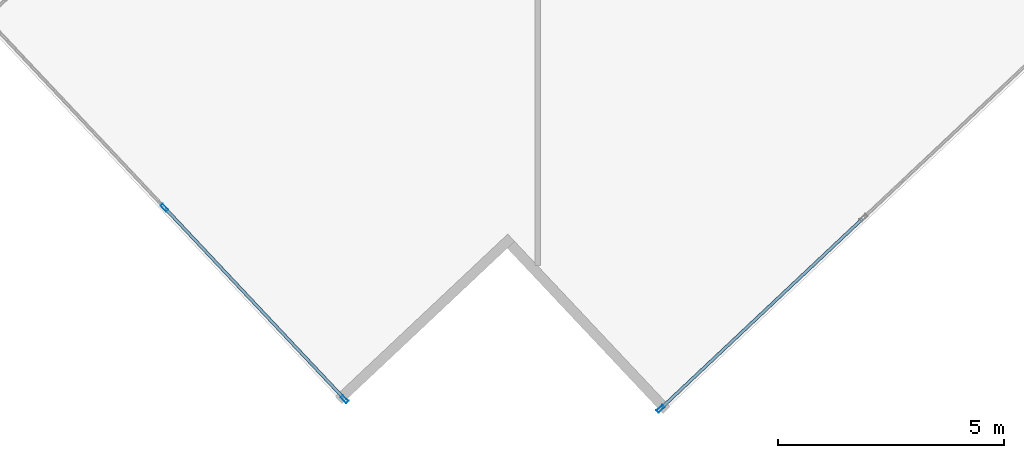
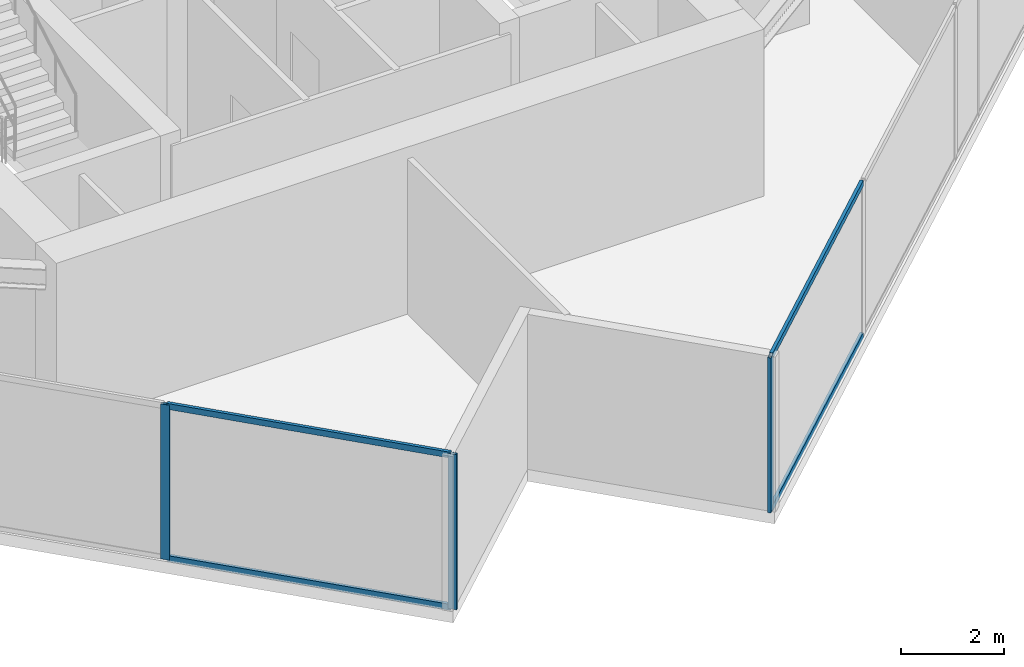
# One storey, part 3 of 24: 7 members, 2 elements without a shape of their own.
"""IFC4 building model written with IfcOpenShell, lengths in metres."""

from ifc_helpers import new_model, si_unit, direction, frame, origin, origin_2d, place, context, subcontext, project, spatial, hollow_rectangle, extrude, source, transform, mapped, material, material_profile, profile_set, type_object, type_shapes, element, aggregate, save


model = new_model("IFC4")

# Units and contexts
model_context = context("Model", 3, precision=1e-05, world=origin(), true_north=direction((0.0, 1.0)))
body_context = subcontext(model_context, "Body", "Model", "MODEL_VIEW")
ifc_project = project(units=[si_unit("LENGTHUNIT", "METRE"), si_unit("AREAUNIT", "SQUARE_METRE"), si_unit("VOLUMEUNIT", "CUBIC_METRE"), si_unit("PLANEANGLEUNIT", "RADIAN"), si_unit("MASSUNIT", "GRAM", prefix="KILO")], contexts=[model_context])

# Site, building, storey
site_placement = place(None, origin())
site = spatial("IfcSite", under=ifc_project, at=site_placement, CompositionType="ELEMENT")
building_placement = place(site_placement, origin())
building = spatial("IfcBuilding", under=site, at=building_placement, Name="Krantzveldt Concourse Tower", CompositionType="ELEMENT")
storey_placement = place(building_placement, frame((0.0, 0.0, 242.85009765625)))
storey = spatial("IfcBuildingStorey", under=building, at=storey_placement, Name="L59", CompositionType="ELEMENT", Elevation=242.85009765625)

# Curtain wall, members
ifc_material = material(Name="Anodised aluminium 6063-T6", Category="aluminium")
curtain_wall_type = type_object("IfcCurtainWallType", Name="CW3", PredefinedType="USERDEFINED", material=ifc_material)
curtain_wall_1_placement = place(storey_placement, origin())
curtain_wall_1 = element("IfcCurtainWall", 1, at=curtain_wall_1_placement, inside=storey, type_object=curtain_wall_type, Name="CW-L59-F08", ObjectType="UNITISED CURTAIN WALL", PredefinedType="USERDEFINED")
ifc_material_profile_1 = material_profile(ifc_material, hollow_rectangle(XDim=0.070068359375, YDim=0.179931640625, WallThickness=0.0048828125, at=origin_2d()), Name="Anodised aluminium 6063-T6", Category="aluminium")
ifc_profile_set_1 = profile_set([ifc_material_profile_1], Name="Anodised aluminium 6063-T6 - ALU-MULL 180x70x5")
member_type_1 = type_object("IfcMemberType", Name="CW-MUL-180", PredefinedType="MULLION", material=ifc_profile_set_1)
shared_shape_1 = source(origin(), body_context, "Body", "SweptSolid", [
    extrude(hollow_rectangle(XDim=0.070068359375, YDim=0.179931640625, WallThickness=0.0048828125, at=origin_2d()), origin(), (0.0, 0.0, 1.0), 3.669921875),
])
type_shapes(member_type_1, [shared_shape_1])
member_1_placement = place(storey_placement, frame((27.745849609375, 5.6865234375, 0.0), z_axis=(0.0, 0.0, 1.0), x_axis=(0.728370998021, 0.685182960414, 0.0)))
member_1 = element("IfcMember", 2, at=member_1_placement, type_object=member_type_1, Name="CW-Z34 mullion 2", PredefinedType="MULLION", context=body_context, shape_type="MappedRepresentation", body=[
    mapped(shared_shape_1, transform((0.0, 0.0, 0.0), x_axis=(1.0, 0.0, 0.0), y_axis=(0.0, 1.0, 0.0), z_axis=(0.0, 0.0, 1.0), scale=1.0)),
])
member_2_placement = place(storey_placement, frame((31.730224609375, 1.451171875, 0.0), z_axis=(0.0, 0.0, 1.0), x_axis=(0.728370998021, 0.685182960414, 0.0)))
member_2 = element("IfcMember", 3, at=member_2_placement, type_object=member_type_1, Name="CW-Z34 mullion 3", PredefinedType="MULLION", context=body_context, shape_type="MappedRepresentation", body=[
    mapped(shared_shape_1, transform((0.0, 0.0, 0.0), x_axis=(1.0, 0.0, 0.0), y_axis=(0.0, 1.0, 0.0), z_axis=(0.0, 0.0, 1.0), scale=1.0)),
])

curtain_wall_2_placement = place(storey_placement, origin())
curtain_wall_2 = element("IfcCurtainWall", 4, at=curtain_wall_2_placement, inside=storey, type_object=curtain_wall_type, Name="CW-L59-F11", ObjectType="UNITISED CURTAIN WALL", PredefinedType="USERDEFINED")
member_3_placement = place(storey_placement, frame((38.72021484375, 1.237548828125, 0.0), z_axis=(0.0, 0.0, 1.0), x_axis=(-0.685182945184, 0.728371012348, 0.0)))
member_3 = element("IfcMember", 5, at=member_3_placement, type_object=member_type_1, Name="CW-Z34 mullion 1", PredefinedType="MULLION", context=body_context, shape_type="MappedRepresentation", body=[
    mapped(shared_shape_1, transform((0.0, 0.0, 0.0), x_axis=(1.0, 0.0, 0.0), y_axis=(0.0, 1.0, 0.0), z_axis=(0.0, 0.0, 1.0), scale=1.0)),
])
ifc_material_profile_2 = material_profile(ifc_material, hollow_rectangle(XDim=0.070068359375, YDim=0.139892578125, WallThickness=0.0048828125, at=origin_2d()), Name="Anodised aluminium 6063-T6", Category="aluminium")
ifc_profile_set_2 = profile_set([ifc_material_profile_2], Name="Anodised aluminium 6063-T6 - ALU-TRAN 140x70x5")
member_type_2 = type_object("IfcMemberType", Name="CW-TRN-150", PredefinedType="USERDEFINED", material=ifc_profile_set_2)
shared_shape_2 = source(origin(), body_context, "Body", "SweptSolid", [
    extrude(hollow_rectangle(XDim=0.070068359375, YDim=0.139892578125, WallThickness=0.0048828125, at=origin_2d()), origin(), (0.0, 0.0, 1.0), 6.094970703125),
])
member_4_placement = place(storey_placement, frame((38.745849609375, 1.261474609375, 0.034912109375), z_axis=(0.728366954224, 0.685187259072, 0.0), x_axis=(-0.685187259072, 0.728366954224, 0.0)))
member_4 = element("IfcMember", 6, at=member_4_placement, type_object=member_type_2, Name="CW-Z34 transom 1.1", ObjectType="TRANSOM", PredefinedType="USERDEFINED", context=body_context, shape_type="MappedRepresentation", body=[
    mapped(shared_shape_2, transform((0.0, 0.0, 0.0), x_axis=(1.0, 0.0, 0.0), y_axis=(0.0, 1.0, 0.0), z_axis=(0.0, 0.0, 1.0), scale=1.0)),
])
member_5_placement = place(storey_placement, frame((38.745849609375, 1.261474609375, 3.635009765625), z_axis=(0.728366954224, 0.685187259072, 0.0), x_axis=(-0.685187259072, 0.728366954224, 0.0)))
member_5 = element("IfcMember", 7, at=member_5_placement, type_object=member_type_2, Name="CW-Z34 transom 1.2", ObjectType="TRANSOM", PredefinedType="USERDEFINED", context=body_context, shape_type="MappedRepresentation", body=[
    mapped(shared_shape_2, transform((0.0, 0.0, 0.0), x_axis=(1.0, 0.0, 0.0), y_axis=(0.0, 1.0, 0.0), z_axis=(0.0, 0.0, 1.0), scale=1.0)),
])
aggregate(curtain_wall_2, [member_3, member_4, member_5])

# Member
shared_shape_3 = source(origin(), body_context, "Body", "SweptSolid", [
    extrude(hollow_rectangle(XDim=0.070068359375, YDim=0.139892578125, WallThickness=0.0048828125, at=origin_2d()), origin(), (0.0, 0.0, 1.0), 5.744873046875),
])
type_shapes(member_type_2, [shared_shape_2, shared_shape_3])
member_6_placement = place(storey_placement, frame((27.77001953125, 5.6611328125, 0.034912109375), z_axis=(0.685167163665, -0.728385857795, 0.0), x_axis=(0.728385857795, 0.685167163665, 0.0)))
member_6 = element("IfcMember", 8, at=member_6_placement, type_object=member_type_2, Name="CW-Z34 transom 2.1", ObjectType="TRANSOM", PredefinedType="USERDEFINED", context=body_context, shape_type="MappedRepresentation", body=[
    mapped(shared_shape_3, transform((0.0, 0.0, 0.0), x_axis=(1.0, 0.0, 0.0), y_axis=(0.0, 1.0, 0.0), z_axis=(0.0, 0.0, 1.0), scale=1.0)),
])

member_7_placement = place(storey_placement, frame((27.77001953125, 5.6611328125, 3.635009765625), z_axis=(0.685167163665, -0.728385857795, 0.0), x_axis=(0.728385857795, 0.685167163665, 0.0)))
member_7 = element("IfcMember", 9, at=member_7_placement, type_object=member_type_2, Name="CW-Z34 transom 2.2", ObjectType="TRANSOM", PredefinedType="USERDEFINED", context=body_context, shape_type="MappedRepresentation", body=[
    mapped(shared_shape_3, transform((0.0, 0.0, 0.0), x_axis=(1.0, 0.0, 0.0), y_axis=(0.0, 1.0, 0.0), z_axis=(0.0, 0.0, 1.0), scale=1.0)),
])

aggregate(curtain_wall_1, [member_1, member_2, member_6, member_7])

save(model, "model.ifc")
